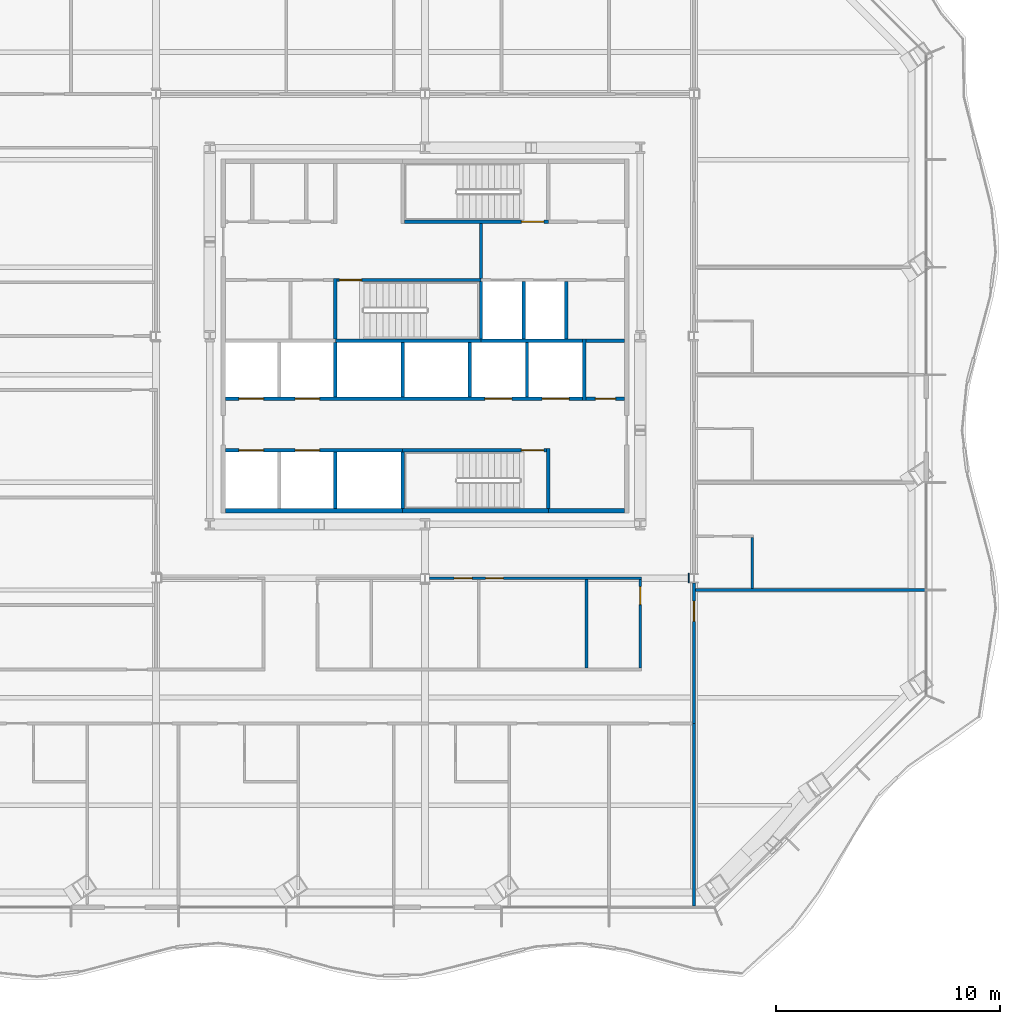
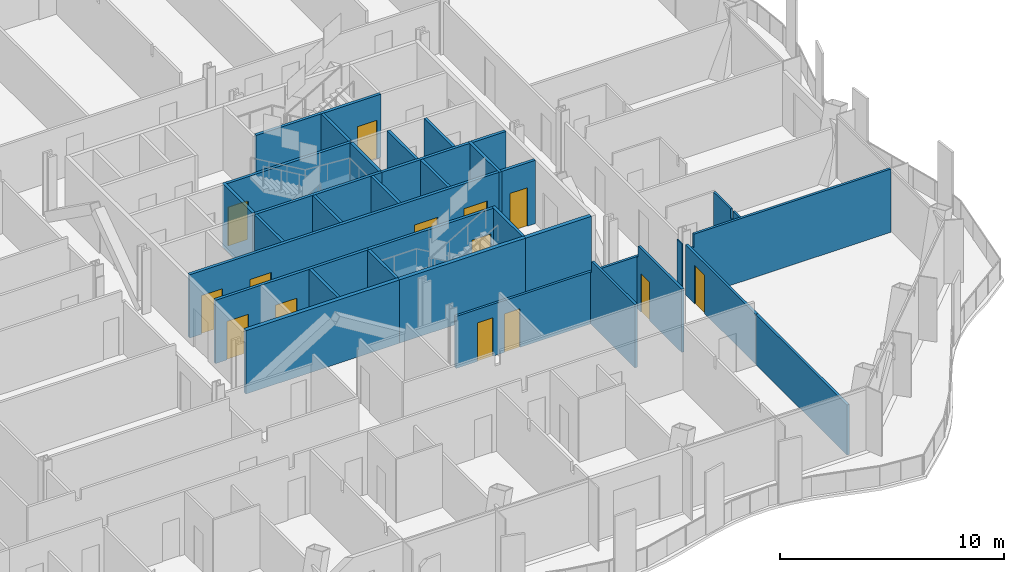
# One storey, part 9 of 17: 33 walls, 14 doors, 14 openings.
"""IFC4 building model written with IfcOpenShell, lengths in metres."""

from ifc_helpers import new_model, si_unit, direction, frame, frame_2d, origin, place, context, subcontext, project, spatial, polyline, rectangle, outline, extrude, material, layer, layer_set, type_object, element, fill, save


model = new_model("IFC4")

# Units and contexts
model_context = context("Model", 3, precision=1e-05, world=origin(), true_north=direction((0.0, 1.0)))
body_context = subcontext(model_context, "Body", "Model", "MODEL_VIEW")
ifc_project = project(units=[si_unit("LENGTHUNIT", "METRE"), si_unit("AREAUNIT", "SQUARE_METRE"), si_unit("VOLUMEUNIT", "CUBIC_METRE"), si_unit("PLANEANGLEUNIT", "RADIAN"), si_unit("MASSUNIT", "GRAM", prefix="KILO")], contexts=[model_context])

# Site, building, storey
site_placement = place(None, origin())
site = spatial("IfcSite", under=ifc_project, at=site_placement, CompositionType="ELEMENT")
building_placement = place(site_placement, origin())
building = spatial("IfcBuilding", under=site, at=building_placement, Name="Cairn Pilgrim Tower", CompositionType="ELEMENT")
storey_placement = place(building_placement, frame((0.0, 0.0, 94.199951171875)))
storey = spatial("IfcBuildingStorey", under=building, at=storey_placement, Name="L22", CompositionType="ELEMENT", Elevation=94.199951171875)

# Walls
ifc_material_1 = material(Name="Concrete C32/40", Category="concrete")
ifc_layer_1 = layer(ifc_material_1, 0.199951171875)
ifc_layer_set_1 = layer_set([ifc_layer_1], Name="CORE OUTER WALL 200 EI 120")
wall_type_1 = type_object("IfcWallType", Name="CORE OUTER WALL 200 EI 120", PredefinedType="SOLIDWALL", material=ifc_layer_set_1)
wall_1_placement = place(storey_placement, frame((-1.699951171875, -5.39990234375, 0.0), z_axis=(0.0, 0.0, 1.0), x_axis=(1.0, 0.0, 0.0)))
element("IfcWall", 1, at=wall_1_placement, inside=storey, type_object=wall_type_1, Name="CW:L22:H01-1", PredefinedType="SOLIDWALL", context=body_context, shape_type="SweptSolid", body=[
    extrude(rectangle(XDim=7.89990234375, YDim=0.199951171875, at=frame_2d((3.949951171875, 0.0))), origin(), (0.0, 0.0, 1.0), 3.449951171875),
])
wall_2_placement = place(storey_placement, frame((12.699951171875, -5.39990234375, 0.0), z_axis=(0.0, 0.0, 1.0), x_axis=(1.0, 0.0, 0.0)))
element("IfcWall", 2, at=wall_2_placement, inside=storey, type_object=wall_type_1, Name="CW:L22:H01-3", PredefinedType="SOLIDWALL", context=body_context, shape_type="SweptSolid", body=[
    extrude(rectangle(XDim=3.400146484375, YDim=0.199951171875, at=frame_2d((1.7001953125, 0.0))), origin(), (0.0, 0.0, 1.0), 3.449951171875),
])

# Wall, opening, door
ifc_layer_2 = layer(ifc_material_1, 0.14990234375)
ifc_layer_set_2 = layer_set([ifc_layer_2], Name="CORE PARTITION 150 EI 60")
wall_type_2 = type_object("IfcWallType", Name="CORE PARTITION 150 EI 60", PredefinedType="PARTITIONING", material=ifc_layer_set_2)
wall_3_placement = place(storey_placement, frame((14.375, -0.39990234375, 0.0), z_axis=(0.0, 0.0, 1.0), x_axis=(1.0, 0.0, 0.0)))
wall_3 = element("IfcWall", 3, at=wall_3_placement, inside=storey, type_object=wall_type_2, Name="CW:L22:H04", PredefinedType="PARTITIONING", context=body_context, shape_type="SweptSolid", body=[
    extrude(rectangle(XDim=1.72509765625, YDim=0.14990234375, at=frame_2d((0.862548828125, 0.0))), origin(), (0.0, 0.0, 1.0), 3.449951171875),
])
opening_1_placement = place(wall_3_placement, frame((0.425048828125, 0.0, 0.0)))
opening_1 = element("IfcOpeningElement", 4, at=opening_1_placement, cuts=wall_3, Name="Opening RD-R2E", PredefinedType="OPENING", context=body_context, shape_type="SweptSolid", body=[
    extrude(rectangle(XDim=0.89990234375, YDim=2.10009765625, at=frame_2d((0.449951171875, 1.050048828125))), frame((0.0, 0.0849609375, 0.0), z_axis=(0.0, -1.0, 0.0), x_axis=(1.0, 0.0, 0.0)), (0.0, 0.0, 1.0), 0.169921875),
])
ifc_material_2 = material(Name="Painted steel", Category="steel")
door_type_1 = type_object("IfcDoorType", Name="SERVICE ROOM DOOR 900x2100", OperationType="SINGLE_SWING_LEFT", PredefinedType="DOOR", material=ifc_material_2)
door_1_placement = place(opening_1_placement, origin())
door_1 = element("IfcDoor", 5, at=door_1_placement, inside=storey, type_object=door_type_1, Name="RD-R2E", OperationType="SINGLE_SWING_LEFT", OverallHeight=2.10009765625, OverallWidth=0.89990234375, PredefinedType="DOOR", context=body_context, shape_type="SweptSolid", body=[
    extrude(rectangle(XDim=0.89990234375, YDim=2.10009765625, at=frame_2d((0.449951171875, 1.050048828125))), frame((0.0, 0.02490234375, 0.0), z_axis=(0.0, -1.0, 0.0), x_axis=(1.0, 0.0, 0.0)), (0.0, 0.0, 1.0), 0.050048828125),
])
fill(opening_1, door_1)

# Wall
wall_4_placement = place(storey_placement, frame((14.375, 2.199951171875, 0.0), z_axis=(0.0, 0.0, 1.0), x_axis=(1.0, 0.0, 0.0)))
element("IfcWall", 6, at=wall_4_placement, inside=storey, type_object=wall_type_2, Name="CW:L22:H06", PredefinedType="PARTITIONING", context=body_context, shape_type="SweptSolid", body=[
    extrude(rectangle(XDim=1.72509765625, YDim=0.14990234375, at=frame_2d((0.862548828125, 0.0))), origin(), (0.0, 0.0, 1.0), 3.449951171875),
])

# Wall, openings, doors
ifc_layer_3 = layer(ifc_material_1, 0.14990234375)
ifc_layer_set_3 = layer_set([ifc_layer_3], Name="CORE SHAFT WALL 150 EI 120")
wall_type_3 = type_object("IfcWallType", Name="CORE SHAFT WALL 150 EI 120", PredefinedType="SOLIDWALL", material=ifc_layer_set_3)
wall_5_placement = place(storey_placement, frame((-1.699951171875, -2.699951171875, 0.0), z_axis=(0.0, 0.0, 1.0), x_axis=(1.0, 0.0, 0.0)))
wall_5 = element("IfcWall", 7, at=wall_5_placement, inside=storey, type_object=wall_type_3, Name="CW:L22:H02-1", PredefinedType="SOLIDWALL", context=body_context, shape_type="SweptSolid", body=[
    extrude(rectangle(XDim=7.89990234375, YDim=0.14990234375, at=frame_2d((3.949951171875, 0.0))), origin(), (0.0, 0.0, 1.0), 3.449951171875),
])
opening_2_placement = place(wall_5_placement, frame((0.60009765625, 0.0, 0.0)))
opening_2 = element("IfcOpeningElement", 8, at=opening_2_placement, cuts=wall_5, Name="Opening LD-LR1", PredefinedType="OPENING", context=body_context, shape_type="SweptSolid", body=[
    extrude(rectangle(XDim=1.10009765625, YDim=2.10009765625, at=frame_2d((0.550048828125, 1.050048828125))), frame((0.0, 0.0849609375, 0.0), z_axis=(0.0, -1.0, 0.0), x_axis=(1.0, 0.0, 0.0)), (0.0, 0.0, 1.0), 0.169921875),
])
opening_3_placement = place(wall_5_placement, frame((3.10009765625, 0.0, 0.0)))
opening_3 = element("IfcOpeningElement", 9, at=opening_3_placement, cuts=wall_5, Name="Opening LD-LR2", PredefinedType="OPENING", context=body_context, shape_type="SweptSolid", body=[
    extrude(rectangle(XDim=1.10009765625, YDim=2.10009765625, at=frame_2d((0.550048828125, 1.050048828125))), frame((0.0, 0.0849609375, 0.0), z_axis=(0.0, -1.0, 0.0), x_axis=(1.0, 0.0, 0.0)), (0.0, 0.0, 1.0), 0.169921875),
])
ifc_material_3 = material(Name="Stainless steel", Category="steel")
door_type_2 = type_object("IfcDoorType", Name="LIFT LANDING DOOR 1100x2100", OperationType="DOUBLE_DOOR_SLIDING", PredefinedType="DOOR", material=ifc_material_3)
door_2_placement = place(opening_2_placement, origin())
door_2 = element("IfcDoor", 10, at=door_2_placement, inside=storey, type_object=door_type_2, Name="LANDING DOOR LR1", OperationType="DOUBLE_DOOR_SLIDING", OverallHeight=2.10009765625, OverallWidth=1.10009765625, PredefinedType="DOOR", context=body_context, shape_type="SweptSolid", body=[
    extrude(rectangle(XDim=1.10009765625, YDim=2.10009765625, at=frame_2d((0.550048828125, 1.050048828125))), frame((0.0, 0.02490234375, 0.0), z_axis=(0.0, -1.0, 0.0), x_axis=(1.0, 0.0, 0.0)), (0.0, 0.0, 1.0), 0.050048828125),
])
fill(opening_2, door_2)
door_3_placement = place(opening_3_placement, origin())
door_3 = element("IfcDoor", 11, at=door_3_placement, inside=storey, type_object=door_type_2, Name="LANDING DOOR LR2", OperationType="DOUBLE_DOOR_SLIDING", OverallHeight=2.10009765625, OverallWidth=1.10009765625, PredefinedType="DOOR", context=body_context, shape_type="SweptSolid", body=[
    extrude(rectangle(XDim=1.10009765625, YDim=2.10009765625, at=frame_2d((0.550048828125, 1.050048828125))), frame((0.0, 0.02490234375, 0.0), z_axis=(0.0, -1.0, 0.0), x_axis=(1.0, 0.0, 0.0)), (0.0, 0.0, 1.0), 0.050048828125),
])
fill(opening_3, door_3)

wall_6_placement = place(storey_placement, frame((-1.699951171875, -0.39990234375, 0.0), z_axis=(0.0, 0.0, 1.0), x_axis=(1.0, 0.0, 0.0)))
wall_6 = element("IfcWall", 12, at=wall_6_placement, inside=storey, type_object=wall_type_3, Name="CW:L22:H03", PredefinedType="SOLIDWALL", context=body_context, shape_type="SweptSolid", body=[
    extrude(rectangle(XDim=15.925048828125, YDim=0.14990234375, at=frame_2d((7.96240234375, 0.0))), origin(), (0.0, 0.0, 1.0), 3.449951171875),
])
opening_4_placement = place(wall_6_placement, frame((0.60009765625, 0.0, 0.0)))
opening_4 = element("IfcOpeningElement", 13, at=opening_4_placement, cuts=wall_6, Name="Opening LD-LR3", PredefinedType="OPENING", context=body_context, shape_type="SweptSolid", body=[
    extrude(rectangle(XDim=1.10009765625, YDim=2.10009765625, at=frame_2d((0.550048828125, 1.050048828125))), frame((0.0, 0.0849609375, 0.0), z_axis=(0.0, -1.0, 0.0), x_axis=(1.0, 0.0, 0.0)), (0.0, 0.0, 1.0), 0.169921875),
])
opening_5_placement = place(wall_6_placement, frame((3.10009765625, 0.0, 0.0)))
opening_5 = element("IfcOpeningElement", 14, at=opening_5_placement, cuts=wall_6, Name="Opening LD-LR4", PredefinedType="OPENING", context=body_context, shape_type="SweptSolid", body=[
    extrude(rectangle(XDim=1.10009765625, YDim=2.10009765625, at=frame_2d((0.550048828125, 1.050048828125))), frame((0.0, 0.0849609375, 0.0), z_axis=(0.0, -1.0, 0.0), x_axis=(1.0, 0.0, 0.0)), (0.0, 0.0, 1.0), 0.169921875),
])
opening_6_placement = place(wall_6_placement, frame((11.574951171875, 0.0, 0.0)))
opening_6 = element("IfcOpeningElement", 15, at=opening_6_placement, cuts=wall_6, Name="Opening LD-SV1", PredefinedType="OPENING", context=body_context, shape_type="SweptSolid", body=[
    extrude(rectangle(XDim=1.199951171875, YDim=2.10009765625, at=frame_2d((0.60009765625, 1.050048828125))), frame((0.0, 0.0849609375, 0.0), z_axis=(0.0, -1.0, 0.0), x_axis=(1.0, 0.0, 0.0)), (0.0, 0.0, 1.0), 0.169921875),
])
opening_7_placement = place(wall_6_placement, frame((14.125, 0.0, 0.0)))
opening_7 = element("IfcOpeningElement", 16, at=opening_7_placement, cuts=wall_6, Name="Opening LD-SV2", PredefinedType="OPENING", context=body_context, shape_type="SweptSolid", body=[
    extrude(rectangle(XDim=1.199951171875, YDim=2.10009765625, at=frame_2d((0.60009765625, 1.050048828125))), frame((0.0, 0.0849609375, 0.0), z_axis=(0.0, -1.0, 0.0), x_axis=(1.0, 0.0, 0.0)), (0.0, 0.0, 1.0), 0.169921875),
])
door_4_placement = place(opening_4_placement, origin())
door_4 = element("IfcDoor", 17, at=door_4_placement, inside=storey, type_object=door_type_2, Name="LANDING DOOR LR3", OperationType="DOUBLE_DOOR_SLIDING", OverallHeight=2.10009765625, OverallWidth=1.10009765625, PredefinedType="DOOR", context=body_context, shape_type="SweptSolid", body=[
    extrude(rectangle(XDim=1.10009765625, YDim=2.10009765625, at=frame_2d((0.550048828125, 1.050048828125))), frame((0.0, 0.02490234375, 0.0), z_axis=(0.0, -1.0, 0.0), x_axis=(1.0, 0.0, 0.0)), (0.0, 0.0, 1.0), 0.050048828125),
])
fill(opening_4, door_4)
door_5_placement = place(opening_5_placement, origin())
door_5 = element("IfcDoor", 18, at=door_5_placement, inside=storey, type_object=door_type_2, Name="LANDING DOOR LR4", OperationType="DOUBLE_DOOR_SLIDING", OverallHeight=2.10009765625, OverallWidth=1.10009765625, PredefinedType="DOOR", context=body_context, shape_type="SweptSolid", body=[
    extrude(rectangle(XDim=1.10009765625, YDim=2.10009765625, at=frame_2d((0.550048828125, 1.050048828125))), frame((0.0, 0.02490234375, 0.0), z_axis=(0.0, -1.0, 0.0), x_axis=(1.0, 0.0, 0.0)), (0.0, 0.0, 1.0), 0.050048828125),
])
fill(opening_5, door_5)
door_type_3 = type_object("IfcDoorType", Name="LIFT LANDING DOOR 1200x2100", OperationType="DOUBLE_DOOR_SLIDING", PredefinedType="DOOR", material=ifc_material_3)
door_6_placement = place(opening_6_placement, origin())
door_6 = element("IfcDoor", 19, at=door_6_placement, inside=storey, type_object=door_type_3, Name="LANDING DOOR SV1", OperationType="DOUBLE_DOOR_SLIDING", OverallHeight=2.10009765625, OverallWidth=1.199951171875, PredefinedType="DOOR", context=body_context, shape_type="SweptSolid", body=[
    extrude(rectangle(XDim=1.199951171875, YDim=2.10009765625, at=frame_2d((0.60009765625, 1.050048828125))), frame((0.0, 0.02490234375, 0.0), z_axis=(0.0, -1.0, 0.0), x_axis=(1.0, 0.0, 0.0)), (0.0, 0.0, 1.0), 0.050048828125),
])
fill(opening_6, door_6)
door_7_placement = place(opening_7_placement, origin())
door_7 = element("IfcDoor", 20, at=door_7_placement, inside=storey, type_object=door_type_3, Name="LANDING DOOR SV2", OperationType="DOUBLE_DOOR_SLIDING", OverallHeight=2.10009765625, OverallWidth=1.199951171875, PredefinedType="DOOR", context=body_context, shape_type="SweptSolid", body=[
    extrude(rectangle(XDim=1.199951171875, YDim=2.10009765625, at=frame_2d((0.60009765625, 1.050048828125))), frame((0.0, 0.02490234375, 0.0), z_axis=(0.0, -1.0, 0.0), x_axis=(1.0, 0.0, 0.0)), (0.0, 0.0, 1.0), 0.050048828125),
])
fill(opening_7, door_7)

# Walls
wall_7_placement = place(storey_placement, frame((9.699951171875, 2.199951171875, 0.0), z_axis=(0.0, 0.0, 1.0), x_axis=(1.0, 0.0, 0.0)))
element("IfcWall", 21, at=wall_7_placement, inside=storey, type_object=wall_type_3, Name="CW:L22:H05-3", PredefinedType="SOLIDWALL", context=body_context, shape_type="SweptSolid", body=[
    extrude(rectangle(XDim=4.525146484375, YDim=0.14990234375, at=frame_2d((2.2626953125, 0.0))), origin(), (0.0, 0.0, 1.0), 3.449951171875),
])
wall_8_placement = place(storey_placement, frame((3.199951171875, -5.300048828125, 0.0), z_axis=(0.0, 0.0, 1.0), x_axis=(0.0, 1.0, 0.0)))
element("IfcWall", 22, at=wall_8_placement, inside=storey, type_object=wall_type_3, Name="CW:L22:V18", PredefinedType="SOLIDWALL", context=body_context, shape_type="SweptSolid", body=[
    extrude(rectangle(XDim=2.525146484375, YDim=0.14990234375, at=frame_2d((1.2626953125, 0.0))), origin(), (0.0, 0.0, 1.0), 3.449951171875),
])
for number, where, z_axis, x_axis, name in (
    (23, (3.199951171875, -0.324951171875, 0.0), (0.0, 0.0, 1.0), (0.0, 1.0, 0.0), "CW:L22:V19"),
    (24, (6.199951171875, -0.324951171875, 0.0), (0.0, 0.0, 1.0), (0.0, 1.0, 0.0), "CW:L22:V23"),
    (25, (9.199951171875, -0.324951171875, 0.0), (0.0, 0.0, 1.0), (0.0, 1.0, 0.0), "CW:L22:V25"),
    (26, (9.699951171875, 4.97509765625, 0.0), (0.0, 0.0, 1.0), (0.0, 1.0, 0.0), "CW:L22:V27"),
):
    element("IfcWall", number, at=place(storey_placement, frame(where, z_axis=z_axis, x_axis=x_axis)), inside=storey, type_object=wall_type_3, Name=name, PredefinedType="SOLIDWALL", context=body_context, shape_type="SweptSolid", body=[
        extrude(rectangle(XDim=2.449951171875, YDim=0.14990234375, at=frame_2d((1.22509765625, 0.0))), origin(), (0.0, 0.0, 1.0), 3.449951171875),
    ])
wall_9_placement = place(storey_placement, frame((11.60009765625, 2.27490234375, 0.0), z_axis=(0.0, 0.0, 1.0), x_axis=(0.0, 1.0, 0.0)))
element("IfcWall", 27, at=wall_9_placement, inside=storey, type_object=wall_type_3, Name="CW:L22:V28", PredefinedType="SOLIDWALL", context=body_context, shape_type="SweptSolid", body=[
    extrude(rectangle(XDim=2.550048828125, YDim=0.14990234375, at=frame_2d((1.27490234375, 0.0))), origin(), (0.0, 0.0, 1.0), 3.449951171875),
])
wall_10_placement = place(storey_placement, frame((11.75, -0.324951171875, 0.0), z_axis=(0.0, 0.0, 1.0), x_axis=(0.0, 1.0, 0.0)))
element("IfcWall", 28, at=wall_10_placement, inside=storey, type_object=wall_type_3, Name="CW:L22:V29", PredefinedType="SOLIDWALL", context=body_context, shape_type="SweptSolid", body=[
    extrude(rectangle(XDim=2.449951171875, YDim=0.14990234375, at=frame_2d((1.22509765625, 0.0))), origin(), (0.0, 0.0, 1.0), 3.449951171875),
])
wall_11_placement = place(storey_placement, frame((13.5, 2.27490234375, 0.0), z_axis=(0.0, 0.0, 1.0), x_axis=(0.0, 1.0, 0.0)))
element("IfcWall", 29, at=wall_11_placement, inside=storey, type_object=wall_type_3, Name="CW:L22:V32", PredefinedType="SOLIDWALL", context=body_context, shape_type="SweptSolid", body=[
    extrude(rectangle(XDim=2.550048828125, YDim=0.14990234375, at=frame_2d((1.27490234375, 0.0))), origin(), (0.0, 0.0, 1.0), 3.449951171875),
])
wall_12_placement = place(storey_placement, frame((14.300048828125, -0.47509765625, 0.0), z_axis=(0.0, 0.0, 1.0), x_axis=(0.0, 1.0, 0.0)))
element("IfcWall", 30, at=wall_12_placement, inside=storey, type_object=wall_type_3, Name="CW:L22:V33", PredefinedType="SOLIDWALL", context=body_context, shape_type="SweptSolid", body=[
    extrude(rectangle(XDim=2.75, YDim=0.14990234375, at=frame_2d((1.375, 0.0))), origin(), (0.0, 0.0, 1.0), 3.449951171875),
])
ifc_material_4 = material(Name="Gypsum partition")
ifc_layer_4 = layer(ifc_material_4, 0.10009765625)
ifc_layer_set_4 = layer_set([ifc_layer_4], Name="PARTITION 100 DRYWALL")
wall_type_4 = type_object("IfcWallType", Name="PARTITION 100 DRYWALL", PredefinedType="PARTITIONING", material=ifc_layer_set_4)
wall_13_placement = place(storey_placement, frame((21.800048828125, -8.865478515625, 0.0), z_axis=(0.0, 0.0, 1.0), x_axis=(0.0, 1.0, 0.0)))
element("IfcWall", 31, at=wall_13_placement, inside=storey, type_object=wall_type_4, Name="PARTITION W042", PredefinedType="PARTITIONING", context=body_context, shape_type="SweptSolid", body=[
    extrude(outline(polyline([(0.0, 0.0), (2.28759765625, 0.0), (2.28759765625, 3.449951171875), (0.7568359375, 3.449951171875), (0.7548828125, 2.929931640625), (0.556884765625, 2.929931640625), (0.554931640625, 3.449951171875), (0.0, 3.449951171875), (0.0, 0.0)])), frame((0.0, 0.050048828125, 0.0), z_axis=(0.0, -1.0, 0.0), x_axis=(1.0, 0.0, 0.0)), (0.0, 0.0, 1.0), 0.10009765625),
])
ifc_layer_5 = layer(ifc_material_4, 0.125)
ifc_layer_set_5 = layer_set([ifc_layer_5], Name="PARTITION 125 DRYWALL EI 60")
wall_type_5 = type_object("IfcWallType", Name="PARTITION 125 DRYWALL EI 60", PredefinedType="PARTITIONING", material=ifc_layer_set_5)
wall_14_placement = place(storey_placement, frame((19.199951171875, -23.017578125, 0.0), z_axis=(0.0, 0.0, 1.0), x_axis=(0.0, 1.0, 0.0)))
element("IfcWall", 32, at=wall_14_placement, inside=storey, type_object=wall_type_5, Name="PARTITION W008", PredefinedType="PARTITIONING", context=body_context, shape_type="SweptSolid", body=[
    extrude(rectangle(XDim=8.1396484375, YDim=0.125, at=frame_2d((4.06982421875, 0.0))), origin(), (0.0, 0.0, 1.0), 2.72998046875),
])

# Wall, opening, door
wall_15_placement = place(storey_placement, frame((19.199951171875, -14.8779296875, 0.0), z_axis=(0.0, 0.0, 1.0), x_axis=(0.0, 1.0, 0.0)))
wall_15 = element("IfcWall", 33, at=wall_15_placement, inside=storey, type_object=wall_type_5, Name="PARTITION W023", PredefinedType="PARTITIONING", context=body_context, shape_type="SweptSolid", body=[
    extrude(rectangle(XDim=6.265380859375, YDim=0.125, at=frame_2d((3.1328125, 0.0))), origin(), (0.0, 0.0, 1.0), 2.72998046875),
])
opening_8_placement = place(wall_15_placement, frame((4.550048828125, 0.0, 0.0)))
opening_8 = element("IfcOpeningElement", 34, at=opening_8_placement, cuts=wall_15, Name="Opening 2224", PredefinedType="OPENING", context=body_context, shape_type="SweptSolid", body=[
    extrude(rectangle(XDim=0.89990234375, YDim=2.10009765625, at=frame_2d((0.449951171875, 1.050048828125))), frame((0.0, 0.072509765625, 0.0), z_axis=(0.0, -1.0, 0.0), x_axis=(1.0, 0.0, 0.0)), (0.0, 0.0, 1.0), 0.14501953125),
])
ifc_material_5 = material(Name="Steel-faced fire door leaf", Category="steel")
door_type_4 = type_object("IfcDoorType", Name="FIRE DOOR 900x2100 FD30S", OperationType="NOTDEFINED", PredefinedType="DOOR", material=ifc_material_5)
door_8_placement = place(opening_8_placement, frame((0.89990234375, 0.0, 0.0), z_axis=(0.0, 0.0, 1.0), x_axis=(-1.0, 0.0, 0.0)))
door_8 = element("IfcDoor", 35, at=door_8_placement, inside=storey, type_object=door_type_4, Name="DOOR 2224", OperationType="SINGLE_SWING_RIGHT", OverallHeight=2.10009765625, OverallWidth=0.89990234375, PredefinedType="DOOR", context=body_context, shape_type="SweptSolid", body=[
    extrude(rectangle(XDim=0.89990234375, YDim=2.10009765625, at=frame_2d((0.449951171875, 1.050048828125))), frame((0.0, 0.02490234375, 0.0), z_axis=(0.0, -1.0, 0.0), x_axis=(1.0, 0.0, 0.0)), (0.0, 0.0, 1.0), 0.050048828125),
])
fill(opening_8, door_8)

# Wall
wall_16_placement = place(storey_placement, frame((14.39990234375, -12.41552734375, 0.0), z_axis=(0.0, 0.0, 1.0), x_axis=(0.0, 1.0, 0.0)))
element("IfcWall", 36, at=wall_16_placement, inside=storey, type_object=wall_type_5, Name="PARTITION W034", PredefinedType="PARTITIONING", context=body_context, shape_type="SweptSolid", body=[
    extrude(outline(polyline([(0.0, 0.0), (3.953125, 0.0), (3.952880859375, 2.830078125), (3.865478515625, 2.830078125), (3.863525390625, 3.449951171875), (0.0, 3.449951171875), (0.0, 0.0)])), frame((0.0, 0.0625, 0.0), z_axis=(0.0, -1.0, 0.0), x_axis=(1.0, 0.0, 0.0)), (0.0, 0.0, 1.0), 0.125),
])

# Wall, opening, door
wall_17_placement = place(storey_placement, frame((16.800048828125, -12.41552734375, 0.0), z_axis=(0.0, 0.0, 1.0), x_axis=(0.0, 1.0, 0.0)))
wall_17 = element("IfcWall", 37, at=wall_17_placement, inside=storey, type_object=wall_type_5, Name="PARTITION W035", PredefinedType="PARTITIONING", context=body_context, shape_type="SweptSolid", body=[
    extrude(outline(polyline([(0.0, 0.0), (3.953125, 0.0), (3.952880859375, 2.830078125), (3.865478515625, 2.830078125), (3.863525390625, 3.449951171875), (0.0, 3.449951171875), (0.0, 0.0)])), frame((0.0, 0.0625, 0.0), z_axis=(0.0, -1.0, 0.0), x_axis=(1.0, 0.0, 0.0)), (0.0, 0.0, 1.0), 0.125),
])
opening_9_placement = place(wall_17_placement, frame((2.83740234375, 0.0, 0.0)))
opening_9 = element("IfcOpeningElement", 38, at=opening_9_placement, cuts=wall_17, Name="Opening 2240", PredefinedType="OPENING", context=body_context, shape_type="SweptSolid", body=[
    extrude(rectangle(XDim=0.800048828125, YDim=2.10009765625, at=frame_2d((0.39990234375, 1.050048828125))), frame((0.0, 0.072509765625, 0.0), z_axis=(0.0, -1.0, 0.0), x_axis=(1.0, 0.0, 0.0)), (0.0, 0.0, 1.0), 0.14501953125),
])
door_type_5 = type_object("IfcDoorType", Name="FIRE DOOR 800x2100 FD30S", OperationType="NOTDEFINED", PredefinedType="DOOR", material=ifc_material_5)
door_9_placement = place(opening_9_placement, origin())
door_9 = element("IfcDoor", 39, at=door_9_placement, inside=storey, type_object=door_type_5, Name="DOOR 2240", OperationType="SINGLE_SWING_LEFT", OverallHeight=2.10009765625, OverallWidth=0.800048828125, PredefinedType="DOOR", context=body_context, shape_type="SweptSolid", body=[
    extrude(rectangle(XDim=0.800048828125, YDim=2.10009765625, at=frame_2d((0.39990234375, 1.050048828125))), frame((0.0, 0.02490234375, 0.0), z_axis=(0.0, -1.0, 0.0), x_axis=(1.0, 0.0, 0.0)), (0.0, 0.0, 1.0), 0.050048828125),
])
fill(opening_9, door_9)

# Wall
wall_18_placement = place(storey_placement, frame((19.262451171875, -8.927978515625, 0.0), z_axis=(0.0, 0.0, 1.0), x_axis=(1.0, 0.0, 0.0)))
element("IfcWall", 40, at=wall_18_placement, inside=storey, type_object=wall_type_5, Name="PARTITION W041", PredefinedType="PARTITIONING", context=body_context, shape_type="SweptSolid", body=[
    extrude(outline(polyline([(0.0, 0.0), (10.23583984375, 0.0), (10.23583984375, 3.449951171875), (0.08740234375, 3.449951171875), (0.08544921875, 2.72998046875), (0.0, 2.72998046875), (0.0, 0.0)])), frame((0.0, 0.0625, 0.0), z_axis=(0.0, -1.0, 0.0), x_axis=(1.0, 0.0, 0.0)), (0.0, 0.0, 1.0), 0.125),
])

# Wall, openings, doors
wall_19_placement = place(storey_placement, frame((7.404541015625, -8.39990234375, 0.0), z_axis=(0.0, 0.0, 1.0), x_axis=(1.0, 0.0, 0.0)))
wall_19 = element("IfcWall", 41, at=wall_19_placement, inside=storey, type_object=wall_type_5, Name="PARTITION W045", PredefinedType="PARTITIONING", context=body_context, shape_type="SweptSolid", body=[
    extrude(rectangle(XDim=9.4580078125, YDim=0.125, at=frame_2d((4.72900390625, 0.0))), origin(), (0.0, 0.0, 1.0), 2.830078125),
])
opening_10_placement = place(wall_19_placement, frame((1.095458984375, 0.0, 0.0)))
opening_10 = element("IfcOpeningElement", 42, at=opening_10_placement, cuts=wall_19, Name="Opening 2238", PredefinedType="OPENING", context=body_context, shape_type="SweptSolid", body=[
    extrude(rectangle(XDim=0.800048828125, YDim=2.10009765625, at=frame_2d((0.39990234375, 1.050048828125))), frame((0.0, 0.072509765625, 0.0), z_axis=(0.0, -1.0, 0.0), x_axis=(1.0, 0.0, 0.0)), (0.0, 0.0, 1.0), 0.14501953125),
])
opening_11_placement = place(wall_19_placement, frame((2.49560546875, 0.0, 0.0)))
opening_11 = element("IfcOpeningElement", 43, at=opening_11_placement, cuts=wall_19, Name="Opening 2239", PredefinedType="OPENING", context=body_context, shape_type="SweptSolid", body=[
    extrude(rectangle(XDim=0.800048828125, YDim=2.10009765625, at=frame_2d((0.39990234375, 1.050048828125))), frame((0.0, 0.072509765625, 0.0), z_axis=(0.0, -1.0, 0.0), x_axis=(1.0, 0.0, 0.0)), (0.0, 0.0, 1.0), 0.14501953125),
])
door_10_placement = place(opening_10_placement, frame((0.800048828125, 0.0, 0.0), z_axis=(0.0, 0.0, 1.0), x_axis=(-1.0, 0.0, 0.0)))
door_10 = element("IfcDoor", 44, at=door_10_placement, inside=storey, type_object=door_type_5, Name="DOOR 2238", OperationType="SINGLE_SWING_LEFT", OverallHeight=2.10009765625, OverallWidth=0.800048828125, PredefinedType="DOOR", context=body_context, shape_type="SweptSolid", body=[
    extrude(rectangle(XDim=0.800048828125, YDim=2.10009765625, at=frame_2d((0.39990234375, 1.050048828125))), frame((0.0, 0.02490234375, 0.0), z_axis=(0.0, -1.0, 0.0), x_axis=(1.0, 0.0, 0.0)), (0.0, 0.0, 1.0), 0.050048828125),
])
fill(opening_10, door_10)
door_11_placement = place(opening_11_placement, frame((0.800048828125, 0.0, 0.0), z_axis=(0.0, 0.0, 1.0), x_axis=(-1.0, 0.0, 0.0)))
door_11 = element("IfcDoor", 45, at=door_11_placement, inside=storey, type_object=door_type_5, Name="DOOR 2239", OperationType="SINGLE_SWING_RIGHT", OverallHeight=2.10009765625, OverallWidth=0.800048828125, PredefinedType="DOOR", context=body_context, shape_type="SweptSolid", body=[
    extrude(rectangle(XDim=0.800048828125, YDim=2.10009765625, at=frame_2d((0.39990234375, 1.050048828125))), frame((0.0, 0.02490234375, 0.0), z_axis=(0.0, -1.0, 0.0), x_axis=(1.0, 0.0, 0.0)), (0.0, 0.0, 1.0), 0.050048828125),
])
fill(opening_11, door_11)

# Wall
ifc_layer_6 = layer(ifc_material_4, 0.050048828125)
ifc_layer_set_6 = layer_set([ifc_layer_6], Name="PARTITION 50 DRYWALL EI 60")
wall_type_6 = type_object("IfcWallType", Name="PARTITION 50 DRYWALL EI 60", PredefinedType="PARTITIONING", material=ifc_layer_set_6)
wall_20_placement = place(storey_placement, frame((18.970458984375, -8.612548828125, 0.0), z_axis=(0.0, 0.0, 1.0), x_axis=(0.0, 1.0, 0.0)))
element("IfcWall", 46, at=wall_20_placement, inside=storey, type_object=wall_type_6, Name="COLUMN CASING WC02", PredefinedType="PARTITIONING", context=body_context, shape_type="SweptSolid", body=[
    extrude(rectangle(XDim=0.425048828125, YDim=0.050048828125, at=frame_2d((0.21240234375, 0.0))), origin(), (0.0, 0.0, 1.0), 2.830078125),
])

# Wall, opening, door
ifc_material_6 = material(Name="Concrete C35/45", Category="concrete")
ifc_layer_7 = layer(ifc_material_6, 0.14990234375)
ifc_layer_set_7 = layer_set([ifc_layer_7], Name="STAIR SHAFT WALL 150 EI 120")
wall_type_7 = type_object("IfcWallType", Name="STAIR SHAFT WALL 150 EI 120", PredefinedType="SOLIDWALL", material=ifc_layer_set_7)
wall_21_placement = place(storey_placement, frame((6.199951171875, -2.699951171875, 0.0), z_axis=(0.0, 0.0, 1.0), x_axis=(1.0, 0.0, 0.0)))
wall_21 = element("IfcWall", 47, at=wall_21_placement, inside=storey, type_object=wall_type_7, Name="CW:L22:H02-2", PredefinedType="SOLIDWALL", context=body_context, shape_type="SweptSolid", body=[
    extrude(rectangle(XDim=6.425048828125, YDim=0.14990234375, at=frame_2d((3.21240234375, 0.0))), origin(), (0.0, 0.0, 1.0), 3.449951171875),
])
opening_12_placement = place(wall_21_placement, frame((5.300048828125, 0.0, 0.0)))
opening_12 = element("IfcOpeningElement", 48, at=opening_12_placement, cuts=wall_21, Name="Opening SD-A", PredefinedType="OPENING", context=body_context, shape_type="SweptSolid", body=[
    extrude(rectangle(XDim=1.0, YDim=2.10009765625, at=frame_2d((0.5, 1.050048828125))), frame((0.0, 0.0849609375, 0.0), z_axis=(0.0, -1.0, 0.0), x_axis=(1.0, 0.0, 0.0)), (0.0, 0.0, 1.0), 0.169921875),
])
door_type_6 = type_object("IfcDoorType", Name="STAIR DOOR FD60S 1000x2100", OperationType="SINGLE_SWING_LEFT", PredefinedType="DOOR", material=ifc_material_2)
door_12_placement = place(opening_12_placement, origin())
door_12 = element("IfcDoor", 49, at=door_12_placement, inside=storey, type_object=door_type_6, Name="SD-A", OperationType="SINGLE_SWING_RIGHT", OverallHeight=2.10009765625, OverallWidth=1.0, PredefinedType="DOOR", context=body_context, shape_type="SweptSolid", body=[
    extrude(rectangle(XDim=1.0, YDim=2.10009765625, at=frame_2d((0.5, 1.050048828125))), frame((0.0, 0.02490234375, 0.0), z_axis=(0.0, -1.0, 0.0), x_axis=(1.0, 0.0, 0.0)), (0.0, 0.0, 1.0), 0.050048828125),
])
fill(opening_12, door_12)

# Wall
wall_22_placement = place(storey_placement, frame((3.199951171875, 2.199951171875, 0.0), z_axis=(0.0, 0.0, 1.0), x_axis=(1.0, 0.0, 0.0)))
element("IfcWall", 50, at=wall_22_placement, inside=storey, type_object=wall_type_7, Name="CW:L22:H05-2", PredefinedType="SOLIDWALL", context=body_context, shape_type="SweptSolid", body=[
    extrude(rectangle(XDim=6.5, YDim=0.14990234375, at=frame_2d((3.25, 0.0))), origin(), (0.0, 0.0, 1.0), 3.449951171875),
])

# Wall, opening, door
wall_23_placement = place(storey_placement, frame((3.27490234375, 4.89990234375, 0.0), z_axis=(0.0, 0.0, 1.0), x_axis=(1.0, 0.0, 0.0)))
wall_23 = element("IfcWall", 51, at=wall_23_placement, inside=storey, type_object=wall_type_7, Name="CW:L22:H08-1", PredefinedType="SOLIDWALL", context=body_context, shape_type="SweptSolid", body=[
    extrude(rectangle(XDim=6.425048828125, YDim=0.14990234375, at=frame_2d((3.21240234375, 0.0))), origin(), (0.0, 0.0, 1.0), 3.449951171875),
])
opening_13_placement = place(wall_23_placement, frame((0.10009765625, 0.0, 0.0)))
opening_13 = element("IfcOpeningElement", 52, at=opening_13_placement, cuts=wall_23, Name="Opening SD-B", PredefinedType="OPENING", context=body_context, shape_type="SweptSolid", body=[
    extrude(rectangle(XDim=1.0, YDim=2.10009765625, at=frame_2d((0.5, 1.050048828125))), frame((0.0, 0.0849609375, 0.0), z_axis=(0.0, -1.0, 0.0), x_axis=(1.0, 0.0, 0.0)), (0.0, 0.0, 1.0), 0.169921875),
])
door_13_placement = place(opening_13_placement, origin())
door_13 = element("IfcDoor", 53, at=door_13_placement, inside=storey, type_object=door_type_6, Name="SD-B", OperationType="SINGLE_SWING_LEFT", OverallHeight=2.10009765625, OverallWidth=1.0, PredefinedType="DOOR", context=body_context, shape_type="SweptSolid", body=[
    extrude(rectangle(XDim=1.0, YDim=2.10009765625, at=frame_2d((0.5, 1.050048828125))), frame((0.0, 0.02490234375, 0.0), z_axis=(0.0, -1.0, 0.0), x_axis=(1.0, 0.0, 0.0)), (0.0, 0.0, 1.0), 0.050048828125),
])
fill(opening_13, door_13)

wall_24_placement = place(storey_placement, frame((6.27490234375, 7.5, 0.0), z_axis=(0.0, 0.0, 1.0), x_axis=(1.0, 0.0, 0.0)))
wall_24 = element("IfcWall", 54, at=wall_24_placement, inside=storey, type_object=wall_type_7, Name="CW:L22:H10-1", PredefinedType="SOLIDWALL", context=body_context, shape_type="SweptSolid", body=[
    extrude(rectangle(XDim=6.425048828125, YDim=0.14990234375, at=frame_2d((3.21240234375, 0.0))), origin(), (0.0, 0.0, 1.0), 3.449951171875),
])
opening_14_placement = place(wall_24_placement, frame((5.22509765625, 0.0, 0.0)))
opening_14 = element("IfcOpeningElement", 55, at=opening_14_placement, cuts=wall_24, Name="Opening SD-C", PredefinedType="OPENING", context=body_context, shape_type="SweptSolid", body=[
    extrude(rectangle(XDim=1.0, YDim=2.10009765625, at=frame_2d((0.5, 1.050048828125))), frame((0.0, 0.0849609375, 0.0), z_axis=(0.0, -1.0, 0.0), x_axis=(1.0, 0.0, 0.0)), (0.0, 0.0, 1.0), 0.169921875),
])
door_14_placement = place(opening_14_placement, origin())
door_14 = element("IfcDoor", 56, at=door_14_placement, inside=storey, type_object=door_type_6, Name="SD-C", OperationType="SINGLE_SWING_RIGHT", OverallHeight=2.10009765625, OverallWidth=1.0, PredefinedType="DOOR", context=body_context, shape_type="SweptSolid", body=[
    extrude(rectangle(XDim=1.0, YDim=2.10009765625, at=frame_2d((0.5, 1.050048828125))), frame((0.0, 0.02490234375, 0.0), z_axis=(0.0, -1.0, 0.0), x_axis=(1.0, 0.0, 0.0)), (0.0, 0.0, 1.0), 0.050048828125),
])
fill(opening_14, door_14)

# Walls
wall_25_placement = place(storey_placement, frame((3.199951171875, 2.27490234375, 0.0), z_axis=(0.0, 0.0, 1.0), x_axis=(0.0, 1.0, 0.0)))
element("IfcWall", 57, at=wall_25_placement, inside=storey, type_object=wall_type_7, Name="CW:L22:V20", PredefinedType="SOLIDWALL", context=body_context, shape_type="SweptSolid", body=[
    extrude(rectangle(XDim=2.7001953125, YDim=0.14990234375, at=frame_2d((1.35009765625, 0.0))), origin(), (0.0, 0.0, 1.0), 3.449951171875),
])
wall_26_placement = place(storey_placement, frame((6.199951171875, -5.300048828125, 0.0), z_axis=(0.0, 0.0, 1.0), x_axis=(0.0, 1.0, 0.0)))
element("IfcWall", 58, at=wall_26_placement, inside=storey, type_object=wall_type_7, Name="CW:L22:V22", PredefinedType="SOLIDWALL", context=body_context, shape_type="SweptSolid", body=[
    extrude(rectangle(XDim=2.525146484375, YDim=0.14990234375, at=frame_2d((1.2626953125, 0.0))), origin(), (0.0, 0.0, 1.0), 3.449951171875),
])
wall_27_placement = place(storey_placement, frame((9.699951171875, 2.27490234375, 0.0), z_axis=(0.0, 0.0, 1.0), x_axis=(0.0, 1.0, 0.0)))
element("IfcWall", 59, at=wall_27_placement, inside=storey, type_object=wall_type_7, Name="CW:L22:V26", PredefinedType="SOLIDWALL", context=body_context, shape_type="SweptSolid", body=[
    extrude(rectangle(XDim=2.550048828125, YDim=0.14990234375, at=frame_2d((1.27490234375, 0.0))), origin(), (0.0, 0.0, 1.0), 3.449951171875),
])
wall_28_placement = place(storey_placement, frame((12.699951171875, -5.300048828125, 0.0), z_axis=(0.0, 0.0, 1.0), x_axis=(0.0, 1.0, 0.0)))
element("IfcWall", 60, at=wall_28_placement, inside=storey, type_object=wall_type_7, Name="CW:L22:V30", PredefinedType="SOLIDWALL", context=body_context, shape_type="SweptSolid", body=[
    extrude(rectangle(XDim=2.675048828125, YDim=0.14990234375, at=frame_2d((1.33740234375, 0.0))), origin(), (0.0, 0.0, 1.0), 3.449951171875),
])
ifc_layer_8 = layer(ifc_material_6, 0.199951171875)
ifc_layer_set_8 = layer_set([ifc_layer_8], Name="STAIR SHAFT WALL 200 EI 120")
wall_type_8 = type_object("IfcWallType", Name="STAIR SHAFT WALL 200 EI 120", PredefinedType="SOLIDWALL", material=ifc_layer_set_8)
wall_29_placement = place(storey_placement, frame((6.199951171875, -5.39990234375, 0.0), z_axis=(0.0, 0.0, 1.0), x_axis=(1.0, 0.0, 0.0)))
element("IfcWall", 61, at=wall_29_placement, inside=storey, type_object=wall_type_8, Name="CW:L22:H01-2", PredefinedType="SOLIDWALL", context=body_context, shape_type="SweptSolid", body=[
    extrude(rectangle(XDim=6.5, YDim=0.199951171875, at=frame_2d((3.25, 0.0))), origin(), (0.0, 0.0, 1.0), 3.449951171875),
])

save(model, "model.ifc")
